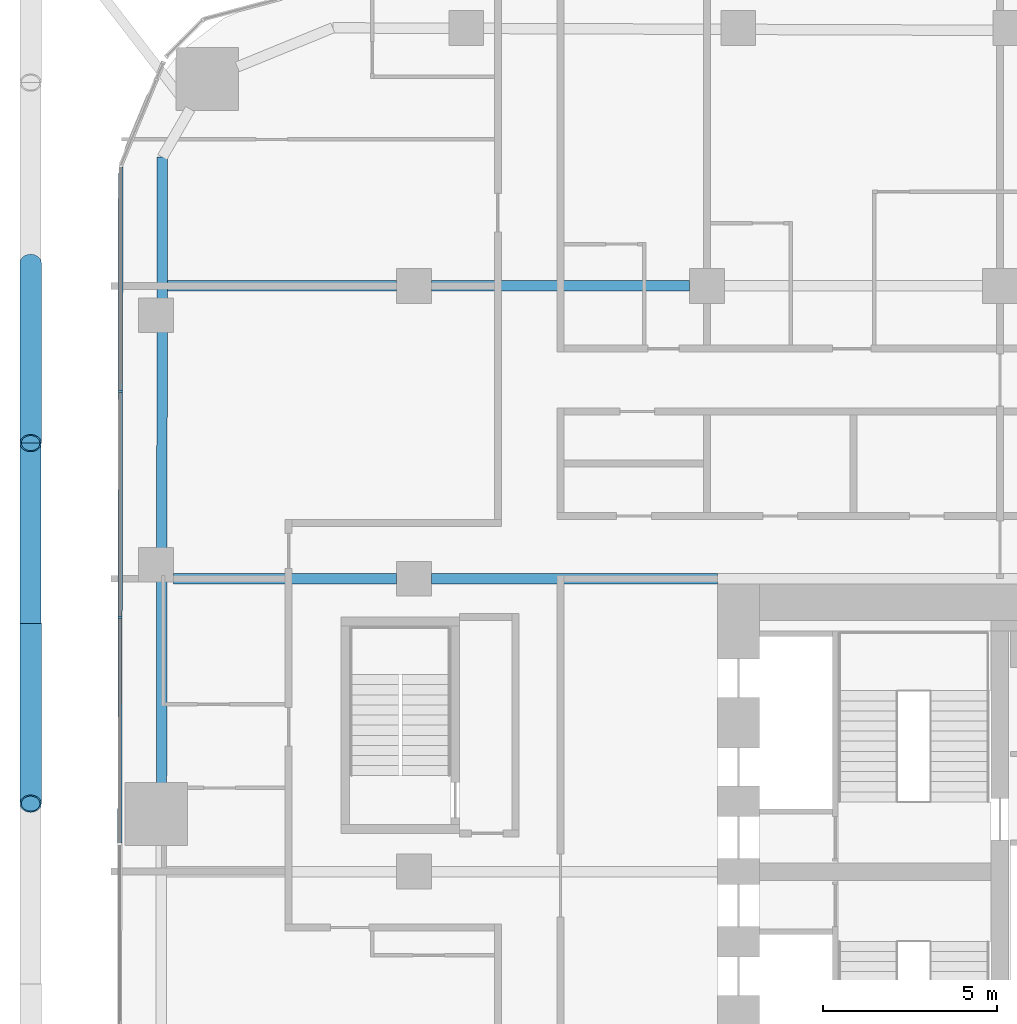
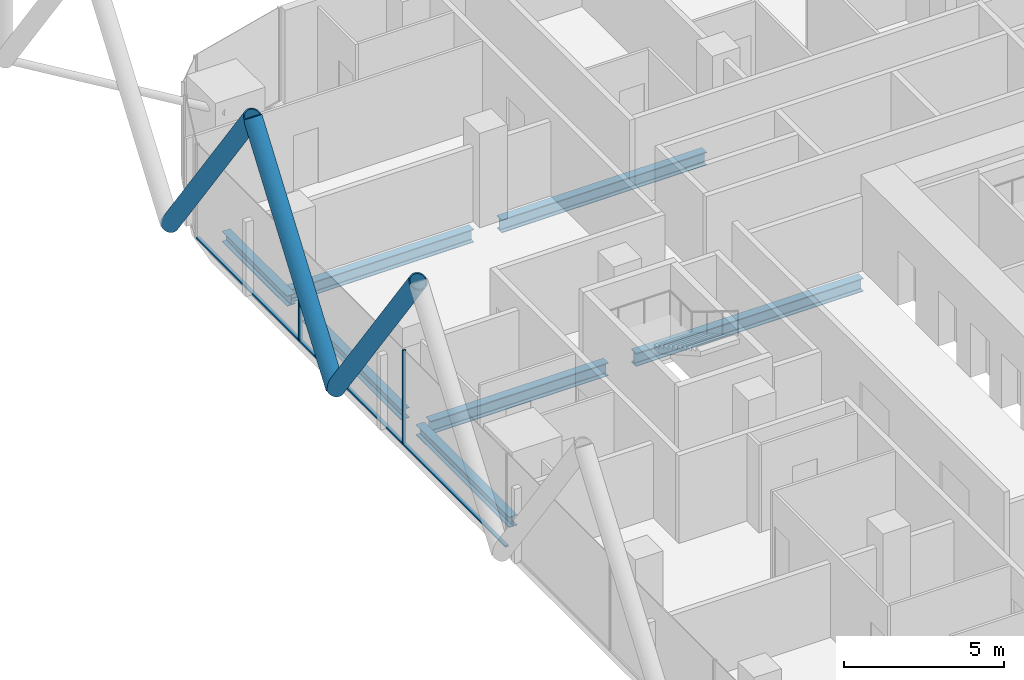
# One storey, part 9 of 34: 8 members, 7 beams, 1 element without a shape of its own.
"""IFC4 building model written with IfcOpenShell, lengths in metres."""

from ifc_helpers import new_model, si_unit, direction, frame, origin, origin_2d, place, context, subcontext, project, spatial, rectangle, hollow_circle, i_section, extrude, material, layer, layer_set, material_profile, profile_set, type_object, element, aggregate, save


model = new_model("IFC4")

# Units and contexts
model_context = context("Model", 3, precision=1e-05, world=origin(), true_north=direction((0.0, 1.0)))
body_context = subcontext(model_context, "Body", "Model", "MODEL_VIEW")
ifc_project = project(units=[si_unit("LENGTHUNIT", "METRE"), si_unit("AREAUNIT", "SQUARE_METRE"), si_unit("VOLUMEUNIT", "CUBIC_METRE"), si_unit("PLANEANGLEUNIT", "RADIAN"), si_unit("MASSUNIT", "GRAM", prefix="KILO")], contexts=[model_context])

# Site, building, storey
site_placement = place(None, origin())
site = spatial("IfcSite", under=ifc_project, at=site_placement, CompositionType="ELEMENT")
building_placement = place(site_placement, origin())
building = spatial("IfcBuilding", under=site, at=building_placement, Name="Marenta Gate Hotel Tower", CompositionType="ELEMENT")
storey_placement = place(building_placement, frame((0.0, 0.0, 47.300048828125)))
storey = spatial("IfcBuildingStorey", under=building, at=storey_placement, Name="L09", CompositionType="ELEMENT", Elevation=47.300048828125)

# Members
ifc_material_1 = material(Name="Steel S355J2W", Category="steel")
ifc_material_profile_1 = material_profile(ifc_material_1, hollow_circle(Radius=0.304931640625, WallThickness=0.0400390625, at=origin_2d()), Name="CHS 610x40")
ifc_profile_set_1 = profile_set([ifc_material_profile_1], Name="Steel S355J2W")
member_type_1 = type_object("IfcMemberType", Name="Diagrid diagonal Z1 CHS 610x40", PredefinedType="BRACE", material=ifc_profile_set_1)
member_1_placement = place(storey_placement, frame((-32.0, 15.52001953125, 3.139892578125), z_axis=(0.0, -0.583279014058, 0.812271870595), x_axis=(1.0, 0.0, 0.0)))
element("IfcMember", 1, at=member_1_placement, inside=storey, type_object=member_type_1, Name="L09-DG-30", PredefinedType="BRACE", context=body_context, shape_type="SweptSolid", body=[
    extrude(hollow_circle(Radius=0.304931640625, WallThickness=0.0400390625, at=origin_2d()), origin(), (0.0, 0.0, 1.0), 8.864013671875),
])
member_2_placement = place(storey_placement, frame((-32.0, 15.52001953125, 3.139892578125), z_axis=(0.0, 0.583260841117, 0.812284919975), x_axis=(-1.0, 0.0, 0.0)))
element("IfcMember", 2, at=member_2_placement, inside=storey, type_object=member_type_1, Name="L09-DG-31", PredefinedType="BRACE", context=body_context, shape_type="SweptSolid", body=[
    extrude(hollow_circle(Radius=0.304931640625, WallThickness=0.0400390625, at=origin_2d()), origin(), (0.0, 0.0, 1.0), 8.86376953125),
])
member_3_placement = place(storey_placement, frame((-32.0, 25.860107421875, 3.139892578125), z_axis=(0.0, -0.583279014058, 0.812271870595), x_axis=(1.0, 0.0, 0.0)))
element("IfcMember", 3, at=member_3_placement, inside=storey, type_object=member_type_1, Name="L09-DG-32", PredefinedType="BRACE", context=body_context, shape_type="SweptSolid", body=[
    extrude(hollow_circle(Radius=0.304931640625, WallThickness=0.0400390625, at=origin_2d()), origin(), (0.0, 0.0, 1.0), 8.864013671875),
])

# Beams
ifc_material_2 = material(Name="Steel S355", Category="steel")
ifc_material_profile_2 = material_profile(ifc_material_2, i_section(OverallWidth=0.300048828125, OverallDepth=0.39990234375, WebThickness=0.013427734375, FlangeThickness=0.02392578125, FilletRadius=0.027099609375, at=origin_2d()), Name="HEB 400")
ifc_profile_set_2 = profile_set([ifc_material_profile_2], Name="Steel S355")
beam_type_1 = type_object("IfcBeamType", Name="Edge beam HEB 400", PredefinedType="SPANDREL", material=ifc_profile_set_2)
beam_1_placement = place(storey_placement, frame((-28.246337890625, 10.909912109375, -0.4599609375), z_axis=(0.001423009483, 0.999998987521, 0.0), x_axis=(-0.999998987521, 0.001423009483, 0.0)))
element("IfcBeam", 4, at=beam_1_placement, inside=storey, type_object=beam_type_1, Name="L09-EB-8", PredefinedType="SPANDREL", context=body_context, shape_type="SweptSolid", body=[
    extrude(i_section(OverallWidth=0.300048828125, OverallDepth=0.39990234375, WebThickness=0.013427734375, FlangeThickness=0.02392578125, FilletRadius=0.027099609375, at=origin_2d()), origin(), (0.0, 0.0, 1.0), 5.833251953125),
])
beam_2_placement = place(storey_placement, frame((-28.23681640625, 17.6630859375, -0.4599609375), z_axis=(0.001370827476, 0.999999060416, 0.0), x_axis=(-0.999999060416, 0.001370827476, 0.0)))
element("IfcBeam", 5, at=beam_2_placement, inside=storey, type_object=beam_type_1, Name="L09-EB-9", PredefinedType="SPANDREL", context=body_context, shape_type="SweptSolid", body=[
    extrude(i_section(OverallWidth=0.300048828125, OverallDepth=0.39990234375, WebThickness=0.013427734375, FlangeThickness=0.02392578125, FilletRadius=0.027099609375, at=origin_2d()), origin(), (0.0, 0.0, 1.0), 6.2333984375),
])
beam_3_placement = place(storey_placement, frame((-28.22705078125, 24.81640625, -0.4599609375), z_axis=(0.001377821732, 0.999999050803, 0.0), x_axis=(-0.999999050803, 0.001377821732, 0.0)))
element("IfcBeam", 6, at=beam_3_placement, inside=storey, type_object=beam_type_1, Name="L09-EB-10", PredefinedType="SPANDREL", context=body_context, shape_type="SweptSolid", body=[
    extrude(i_section(OverallWidth=0.300048828125, OverallDepth=0.39990234375, WebThickness=0.013427734375, FlangeThickness=0.02392578125, FilletRadius=0.027099609375, at=origin_2d()), origin(), (0.0, 0.0, 1.0), 4.075439453125),
])
ifc_material_3 = material(Name="Steel S355", Category="steel")
ifc_material_profile_3 = material_profile(ifc_material_3, i_section(OverallWidth=0.300048828125, OverallDepth=0.5, WebThickness=0.014404296875, FlangeThickness=0.028076171875, FilletRadius=0.027099609375, at=origin_2d()), Name="HEB 500")
ifc_profile_set_3 = profile_set([ifc_material_profile_3], Name="Steel S355")
beam_type_2 = type_object("IfcBeamType", Name="Girder HEB 500", PredefinedType="BEAM", material=ifc_profile_set_3)
beam_4_placement = place(storey_placement, frame((-27.89990234375, 16.800048828125, -0.510009765625), z_axis=(1.0, 0.0, 0.0), x_axis=(0.0, 1.0, 0.0)))
element("IfcBeam", 7, at=beam_4_placement, inside=storey, type_object=beam_type_2, Name="L09-GD-17", PredefinedType="BEAM", context=body_context, shape_type="SweptSolid", body=[
    extrude(i_section(OverallWidth=0.300048828125, OverallDepth=0.5, WebThickness=0.014404296875, FlangeThickness=0.028076171875, FilletRadius=0.027099609375, at=origin_2d()), origin(), (0.0, 0.0, 1.0), 6.39990234375),
])
beam_5_placement = place(storey_placement, frame((-20.5, 16.800048828125, -0.510009765625), z_axis=(1.0, 0.0, 0.0), x_axis=(0.0, 1.0, 0.0)))
element("IfcBeam", 8, at=beam_5_placement, inside=storey, type_object=beam_type_2, Name="L09-GD-18", PredefinedType="BEAM", context=body_context, shape_type="SweptSolid", body=[
    extrude(i_section(OverallWidth=0.300048828125, OverallDepth=0.5, WebThickness=0.014404296875, FlangeThickness=0.028076171875, FilletRadius=0.027099609375, at=origin_2d()), origin(), (0.0, 0.0, 1.0), 8.199951171875),
])
beam_6_placement = place(storey_placement, frame((-28.076416015625, 25.199951171875, -0.510009765625), z_axis=(1.0, 0.0, 0.0), x_axis=(0.0, 1.0, 0.0)))
element("IfcBeam", 9, at=beam_6_placement, inside=storey, type_object=beam_type_2, Name="L09-GD-22", PredefinedType="BEAM", context=body_context, shape_type="SweptSolid", body=[
    extrude(i_section(OverallWidth=0.300048828125, OverallDepth=0.5, WebThickness=0.014404296875, FlangeThickness=0.028076171875, FilletRadius=0.027099609375, at=origin_2d()), origin(), (0.0, 0.0, 1.0), 6.576416015625),
])
beam_7_placement = place(storey_placement, frame((-20.5, 25.199951171875, -0.510009765625), z_axis=(1.0, 0.0, 0.0), x_axis=(0.0, 1.0, 0.0)))
element("IfcBeam", 10, at=beam_7_placement, inside=storey, type_object=beam_type_2, Name="L09-GD-23", PredefinedType="BEAM", context=body_context, shape_type="SweptSolid", body=[
    extrude(i_section(OverallWidth=0.300048828125, OverallDepth=0.5, WebThickness=0.014404296875, FlangeThickness=0.028076171875, FilletRadius=0.027099609375, at=origin_2d()), origin(), (0.0, 0.0, 1.0), 7.39990234375),
])

# Curtain wall, members
ifc_material_4 = material(Name="Tinted insulated glass in bronze anodised frame", Category="glass")
ifc_layer = layer(ifc_material_4, 0.1201171875)
ifc_layer_set = layer_set([ifc_layer], Name="Tinted insulated glass in bronze anodised frame")
curtain_wall_type = type_object("IfcCurtainWallType", Name="Tower unitised curtain wall CW1", PredefinedType="NOTDEFINED", material=ifc_layer_set)
curtain_wall_placement = place(storey_placement, origin())
curtain_wall = element("IfcCurtainWall", 11, at=curtain_wall_placement, inside=storey, type_object=curtain_wall_type, Name="CW1 run G04", PredefinedType="NOTDEFINED")
ifc_material_5 = material(Name="Bronze anodised aluminium", Category="aluminium")
ifc_material_profile_4 = material_profile(ifc_material_5, rectangle(XDim=0.1201171875, YDim=0.06005859375, at=origin_2d()), Name="Mullion CW1 60x120 bronze anodised aluminium")
ifc_profile_set_4 = profile_set([ifc_material_profile_4], Name="Bronze anodised aluminium")
member_type_2 = type_object("IfcMemberType", Name="Mullion CW1 60x120 bronze anodised aluminium", PredefinedType="MULLION", material=ifc_profile_set_4)
member_4_placement = place(storey_placement, frame((-29.42236328125, 22.17578125, 0.0), z_axis=(0.0, 0.0, 1.0), x_axis=(0.99999877316, -0.00156642217, 0.0)))
member_4 = element("IfcMember", 12, at=member_4_placement, type_object=member_type_2, Name="CW1 mullion 2", PredefinedType="MULLION", context=body_context, shape_type="SweptSolid", body=[
    extrude(rectangle(XDim=0.1201171875, YDim=0.06005859375, at=origin_2d()), origin(), (0.0, 0.0, 1.0), 3.599853515625),
])
member_5_placement = place(storey_placement, frame((-29.4326171875, 15.685546875, 0.0), z_axis=(0.0, 0.0, 1.0), x_axis=(0.99999877316, -0.00156642217, 0.0)))
member_5 = element("IfcMember", 13, at=member_5_placement, type_object=member_type_2, Name="CW1 mullion 3", PredefinedType="MULLION", context=body_context, shape_type="SweptSolid", body=[
    extrude(rectangle(XDim=0.1201171875, YDim=0.06005859375, at=origin_2d()), origin(), (0.0, 0.0, 1.0), 3.599853515625),
])
ifc_material_6 = material(Name="Bronze anodised aluminium", Category="aluminium")
ifc_material_profile_5 = material_profile(ifc_material_6, rectangle(XDim=0.1201171875, YDim=0.06005859375, at=origin_2d()), Name="Transom CW1 60x120 bronze anodised aluminium")
ifc_profile_set_5 = profile_set([ifc_material_profile_5], Name="Bronze anodised aluminium")
member_type_3 = type_object("IfcMemberType", Name="Transom CW1 60x120 bronze anodised aluminium", PredefinedType="USERDEFINED", material=ifc_profile_set_5)
member_6_placement = place(storey_placement, frame((-29.412353515625, 28.606201171875, 0.030029296875), z_axis=(-0.001563928512, -0.999998777063, 0.0), x_axis=(0.999998777063, -0.001563928512, 0.0)))
member_6 = element("IfcMember", 14, at=member_6_placement, type_object=member_type_3, Name="CW1 transom 1.1", ObjectType="TRANSOM", PredefinedType="USERDEFINED", context=body_context, shape_type="SweptSolid", body=[
    extrude(rectangle(XDim=0.1201171875, YDim=0.06005859375, at=origin_2d()), origin(), (0.0, 0.0, 1.0), 6.400390625),
])
member_7_placement = place(storey_placement, frame((-29.422607421875, 22.145751953125, 0.030029296875), z_axis=(-0.001556684271, -0.999998788366, 0.0), x_axis=(0.999998788366, -0.001556684271, 0.0)))
member_7 = element("IfcMember", 15, at=member_7_placement, type_object=member_type_3, Name="CW1 transom 2.1", ObjectType="TRANSOM", PredefinedType="USERDEFINED", context=body_context, shape_type="SweptSolid", body=[
    extrude(rectangle(XDim=0.1201171875, YDim=0.06005859375, at=origin_2d()), origin(), (0.0, 0.0, 1.0), 6.43017578125),
])
member_8_placement = place(storey_placement, frame((-29.4326171875, 15.655517578125, 0.030029296875), z_axis=(-0.001594591541, -0.999998728638, 0.0), x_axis=(0.999998728638, -0.001594591541, 0.0)))
member_8 = element("IfcMember", 16, at=member_8_placement, type_object=member_type_3, Name="CW1 transom 3.1", ObjectType="TRANSOM", PredefinedType="USERDEFINED", context=body_context, shape_type="SweptSolid", body=[
    extrude(rectangle(XDim=0.1201171875, YDim=0.06005859375, at=origin_2d()), origin(), (0.0, 0.0, 1.0), 6.430419921875),
])
aggregate(curtain_wall, [member_4, member_5, member_6, member_7, member_8])

save(model, "model.ifc")
